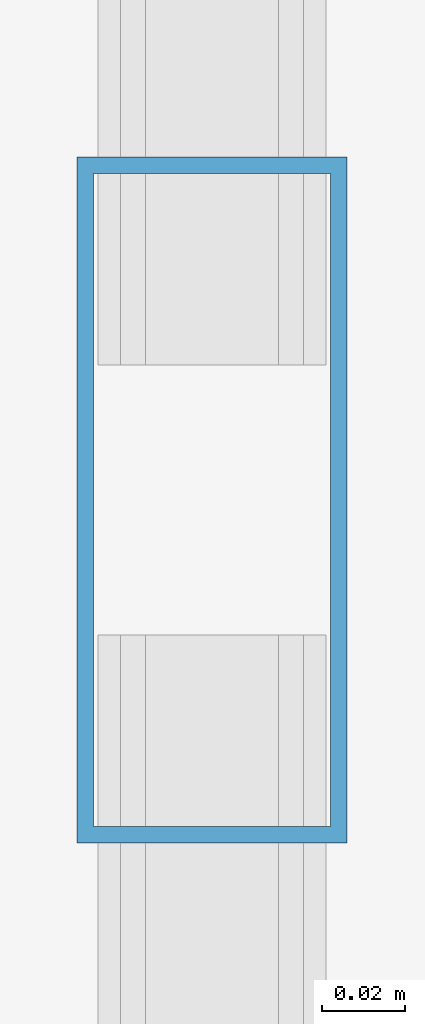
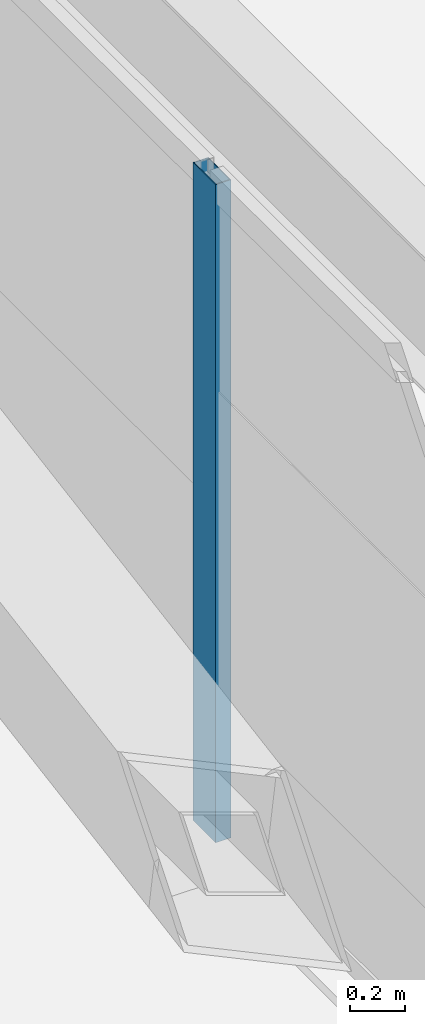
# One storey, part 9 of 56: 1 member, 1 element without a shape of its own.
"""IFC4 building model written with IfcOpenShell, lengths in metres."""

from ifc_helpers import new_model, si_unit, direction, frame, origin, origin_2d, place, context, subcontext, project, spatial, hollow_rectangle, extrude, source, transform, mapped, material, layer, layer_set, material_profile, profile_set, type_object, element, aggregate, save


model = new_model("IFC4")

# Units and contexts
model_context = context("Model", 3, precision=1e-05, world=origin(), true_north=direction((0.0, 1.0)))
body_context = subcontext(model_context, "Body", "Model", "MODEL_VIEW")
ifc_project = project(units=[si_unit("LENGTHUNIT", "METRE"), si_unit("AREAUNIT", "SQUARE_METRE"), si_unit("VOLUMEUNIT", "CUBIC_METRE"), si_unit("PLANEANGLEUNIT", "RADIAN"), si_unit("MASSUNIT", "GRAM", prefix="KILO")], contexts=[model_context])

# Site, building, storey
site_placement = place(None, origin())
site = spatial("IfcSite", under=ifc_project, at=site_placement, CompositionType="ELEMENT")
building_placement = place(site_placement, origin())
building = spatial("IfcBuilding", under=site, at=building_placement, Name="Taldren Reach Tower", CompositionType="ELEMENT")
storey_placement = place(building_placement, frame((0.0, 0.0, 16.800048828125)))
storey = spatial("IfcBuildingStorey", under=building, at=storey_placement, Name="L04", CompositionType="ELEMENT", Elevation=16.800048828125)

# Curtain wall, member
ifc_material_1 = material(Name="Aluminium and Low-E Glass Unitised System", Category="aluminium")
ifc_layer = layer(ifc_material_1, 0.159912109375)
ifc_layer_set = layer_set([ifc_layer], Name="Aluminium and Low-E Glass Unitised System")
curtain_wall_type = type_object("IfcCurtainWallType", Name="CW-SYS-2", PredefinedType="NOTDEFINED", material=ifc_layer_set)
curtain_wall_placement = place(storey_placement, origin())
curtain_wall = element("IfcCurtainWall", 1, at=curtain_wall_placement, inside=storey, type_object=curtain_wall_type, Name="Unitised curtain wall CW-L04-W2", PredefinedType="NOTDEFINED")
ifc_material_2 = material(Name="Anodised Aluminium 6063-T6", Category="aluminium")
ifc_material_profile = material_profile(ifc_material_2, hollow_rectangle(XDim=0.06494140625, YDim=0.1650390625, WallThickness=0.00390625, at=origin_2d()), Name="ALU-165x65x4RHS")
ifc_profile_set = profile_set([ifc_material_profile], Name="Anodised Aluminium 6063-T6")
member_type = type_object("IfcMemberType", Name="CW-MUL-165", PredefinedType="MULLION", material=ifc_profile_set)
shared_shape = source(origin(), body_context, "Body", "SweptSolid", [
    extrude(hollow_rectangle(XDim=0.06494140625, YDim=0.1650390625, WallThickness=0.00390625, at=origin_2d()), origin(), (0.0, 0.0, 1.0), 2.929931640625),
])
member_placement = place(storey_placement, frame((5.139892578125, 14.675048828125, 0.0), z_axis=(0.0, 0.0, 1.0), x_axis=(1.0, 0.0, 0.0)))
member = element("IfcMember", 2, at=member_placement, type_object=member_type, Name="CW-2 mullion 3", PredefinedType="MULLION", context=body_context, shape_type="MappedRepresentation", body=[
    mapped(shared_shape, transform((0.0, 0.0, 0.0), scale=1.0)),
])
aggregate(curtain_wall, [member])

save(model, "model.ifc")
